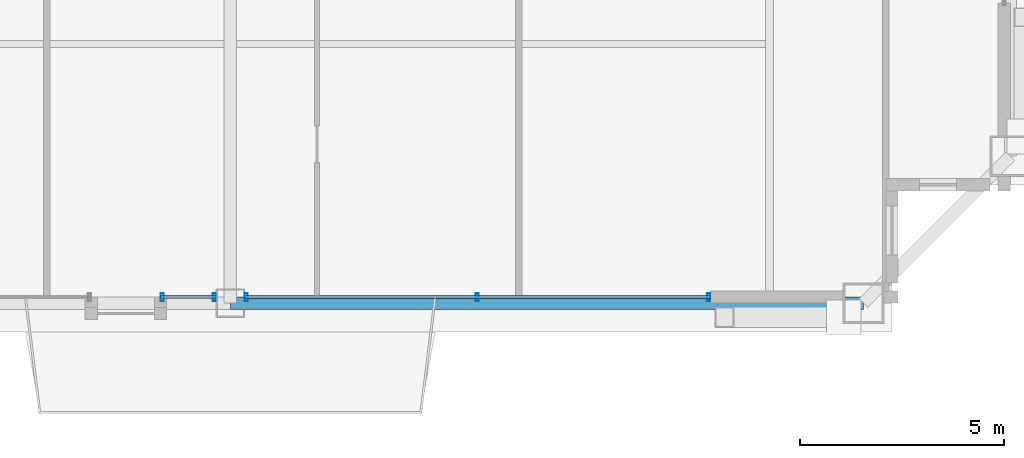
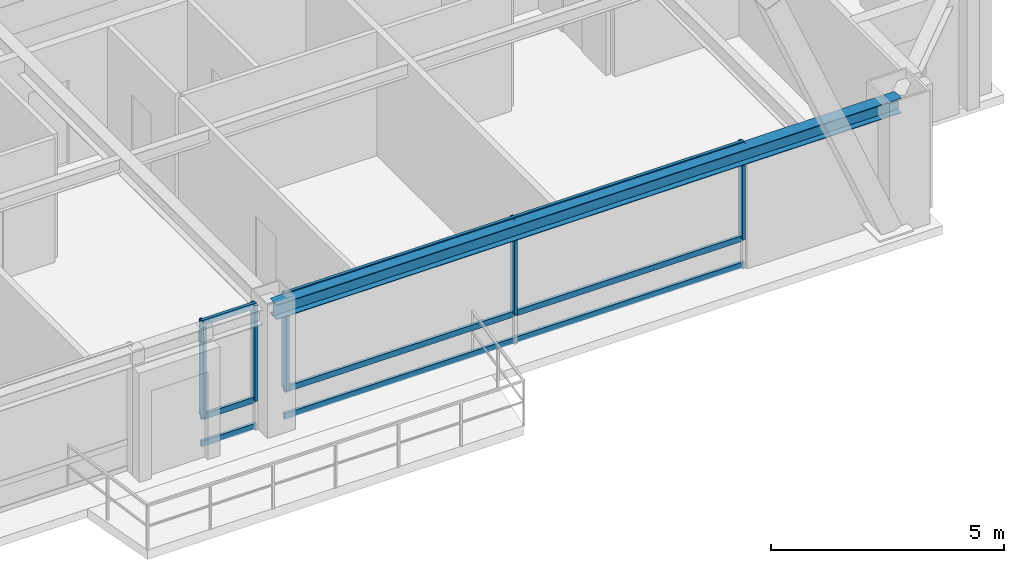
# One storey, part 9 of 35: 11 members, 1 beam, 2 elements without a shape of their own.
"""IFC4 building model written with IfcOpenShell, lengths in metres."""

from ifc_helpers import new_model, si_unit, direction, frame, origin, origin_2d, place, context, subcontext, project, spatial, hollow_rectangle, i_section, extrude, source, transform, mapped, material, layer, layer_set, material_profile, profile_set, type_object, element, aggregate, save


model = new_model("IFC4")

# Units and contexts
model_context = context("Model", 3, precision=1e-05, world=origin(), true_north=direction((0.0, 1.0)))
body_context = subcontext(model_context, "Body", "Model", "MODEL_VIEW")
ifc_project = project(units=[si_unit("LENGTHUNIT", "METRE"), si_unit("AREAUNIT", "SQUARE_METRE"), si_unit("VOLUMEUNIT", "CUBIC_METRE"), si_unit("PLANEANGLEUNIT", "RADIAN"), si_unit("MASSUNIT", "GRAM", prefix="KILO"), si_unit("THERMODYNAMICTEMPERATUREUNIT", "KELVIN"), si_unit("POWERUNIT", "WATT")], contexts=[model_context])

# Site, building, storey
site_placement = place(None, origin())
site = spatial("IfcSite", under=ifc_project, at=site_placement, CompositionType="ELEMENT")
building_placement = place(site_placement, origin())
building = spatial("IfcBuilding", under=site, at=building_placement, Name="Yuzanri Waterfront Tower", CompositionType="ELEMENT")
storey_placement = place(building_placement, frame((0.0, 0.0, 335.699951171875)))
storey = spatial("IfcBuildingStorey", under=building, at=storey_placement, Name="L90", CompositionType="ELEMENT", Elevation=335.699951171875)

# Beam
ifc_material_1 = material(Name="Steel Q355B", Category="steel")
ifc_material_profile_1 = material_profile(ifc_material_1, i_section(OverallWidth=0.300048828125, OverallDepth=0.389892578125, WebThickness=0.010009765625, FlangeThickness=0.01611328125, at=origin_2d()), Name="HM 390x300x10x16")
ifc_profile_set_1 = profile_set([ifc_material_profile_1], Name="Steel Q355B")
beam_type = type_object("IfcBeamType", Name="Perimeter Spandrel Q355B HM 390x300", PredefinedType="SPANDREL", material=ifc_profile_set_1)
shared_shape_1 = source(origin(), body_context, "Body", "SweptSolid", [
    extrude(i_section(OverallWidth=0.300048828125, OverallDepth=0.389892578125, WebThickness=0.010009765625, FlangeThickness=0.01611328125, at=origin_2d()), origin(), (0.0, 0.0, 1.0), 15.5),
])
beam_placement = place(storey_placement, frame((37.0, 6.699951171875, 3.06494140625), z_axis=(1.0, 0.0, 0.0), x_axis=(0.0, 1.0, 0.0)))
element("IfcBeam", 1, at=beam_placement, inside=storey, type_object=beam_type, Name="L90 Perimeter Spandrel S2-S3", PredefinedType="SPANDREL", context=body_context, shape_type="MappedRepresentation", body=[
    mapped(shared_shape_1, transform((0.0, 0.0, 0.0), scale=1.0)),
])

# Curtain wall, members
ifc_material_2 = material(Name="Anodized Architectural Bronze", Category="metal")
ifc_layer = layer(ifc_material_2, 0.159912109375)
ifc_layer_set = layer_set([ifc_layer], Name="Anodized Architectural Bronze")
curtain_wall_type = type_object("IfcCurtainWallType", Name="Anodized Bronze High-Rise Penthouse High-Wind Unitized Curtain Wall 6900", PredefinedType="NOTDEFINED", material=ifc_layer_set)
curtain_wall_1_placement = place(storey_placement, origin())
curtain_wall_1 = element("IfcCurtainWall", 2, at=curtain_wall_1_placement, inside=storey, type_object=curtain_wall_type, Name="L90 Curtain Wall CW-L90-SR", PredefinedType="NOTDEFINED")
ifc_material_3 = material(Name="Anodized Architectural Bronze", Category="metal")
ifc_material_profile_2 = material_profile(ifc_material_3, hollow_rectangle(XDim=0.074951171875, YDim=0.14990234375, WallThickness=0.00390625, at=origin_2d()), Name="CWT 75x150")
ifc_profile_set_2 = profile_set([ifc_material_profile_2], Name="Anodized Architectural Bronze")
member_type_1 = type_object("IfcMemberType", Name="Anodized Bronze Primary Curtain-Wall Transom 75x150", PredefinedType="USERDEFINED", material=ifc_profile_set_2)
shared_shape_2 = source(origin(), body_context, "Body", "SweptSolid", [
    extrude(hollow_rectangle(XDim=0.074951171875, YDim=0.14990234375, WallThickness=0.00390625, at=origin_2d()), origin(), (0.0, 0.0, 1.0), 11.39990234375),
])
member_1_placement = place(storey_placement, frame((37.35009765625, 6.85009765625, 0.050048828125), z_axis=(1.0, 0.0, 0.0), x_axis=(0.0, 1.0, 0.0)))
member_1 = element("IfcMember", 3, at=member_1_placement, type_object=member_type_1, Name="CW-L90-SR Transom 1", ObjectType="TRANSOM", PredefinedType="USERDEFINED", context=body_context, shape_type="MappedRepresentation", body=[
    mapped(shared_shape_2, transform((0.0, 0.0, 0.0), scale=1.0)),
])
member_2_placement = place(storey_placement, frame((37.35009765625, 6.85009765625, 0.75), z_axis=(1.0, 0.0, 0.0), x_axis=(0.0, 1.0, 0.0)))
member_2 = element("IfcMember", 4, at=member_2_placement, type_object=member_type_1, Name="CW-L90-SR Transom 2", ObjectType="TRANSOM", PredefinedType="USERDEFINED", context=body_context, shape_type="MappedRepresentation", body=[
    mapped(shared_shape_2, transform((0.0, 0.0, 0.0), scale=1.0)),
])
member_3_placement = place(storey_placement, frame((37.35009765625, 6.85009765625, 3.2099609375), z_axis=(1.0, 0.0, 0.0), x_axis=(0.0, 1.0, 0.0)))
member_3 = element("IfcMember", 5, at=member_3_placement, type_object=member_type_1, Name="CW-L90-SR Transom 3", ObjectType="TRANSOM", PredefinedType="USERDEFINED", context=body_context, shape_type="MappedRepresentation", body=[
    mapped(shared_shape_2, transform((0.0, 0.0, 0.0), scale=1.0)),
])

curtain_wall_2_placement = place(storey_placement, origin())
curtain_wall_2 = element("IfcCurtainWall", 6, at=curtain_wall_2_placement, inside=storey, type_object=curtain_wall_type, Name="L90 Curtain Wall CW-L90-SL2", PredefinedType="NOTDEFINED")
ifc_material_4 = material(Name="Anodized Architectural Bronze", Category="metal")
ifc_material_profile_3 = material_profile(ifc_material_4, hollow_rectangle(XDim=0.074951171875, YDim=0.199951171875, WallThickness=0.00390625, at=origin_2d()), Name="CWM 75x200")
ifc_profile_set_3 = profile_set([ifc_material_profile_3], Name="Anodized Architectural Bronze")
member_type_2 = type_object("IfcMemberType", Name="Anodized Bronze Primary Curtain-Wall Mullion 75x200", PredefinedType="MULLION", material=ifc_profile_set_3)
shared_shape_3 = source(origin(), body_context, "Body", "SweptSolid", [
    extrude(hollow_rectangle(XDim=0.074951171875, YDim=0.199951171875, WallThickness=0.00390625, at=origin_2d()), origin(), (0.0, 0.0, 1.0), 2.508056640625),
])
member_4_placement = place(storey_placement, frame((35.33203125, 6.85009765625, 0.751953125), z_axis=(0.0, 0.0, 1.0), x_axis=(1.0, 0.0, 0.0)))
member_4 = element("IfcMember", 7, at=member_4_placement, type_object=member_type_2, Name="CW-L90-SL2 Upper Mullion 00", PredefinedType="MULLION", context=body_context, shape_type="MappedRepresentation", body=[
    mapped(shared_shape_3, transform((0.0, 0.0, 0.0), scale=1.0)),
])
member_5_placement = place(storey_placement, frame((36.610107421875, 6.85009765625, 0.751953125), z_axis=(0.0, 0.0, 1.0), x_axis=(1.0, 0.0, 0.0)))
member_5 = element("IfcMember", 8, at=member_5_placement, type_object=member_type_2, Name="CW-L90-SL2 Upper Mullion 01", PredefinedType="MULLION", context=body_context, shape_type="MappedRepresentation", body=[
    mapped(shared_shape_3, transform((0.0, 0.0, 0.0), scale=1.0)),
])

# Member
member_6_placement = place(storey_placement, frame((37.389892578125, 6.85009765625, 0.751953125), z_axis=(0.0, 0.0, 1.0), x_axis=(1.0, 0.0, 0.0)))
member_6 = element("IfcMember", 9, at=member_6_placement, type_object=member_type_2, Name="CW-L90-SR Upper Mullion 00", PredefinedType="MULLION", context=body_context, shape_type="MappedRepresentation", body=[
    mapped(shared_shape_3, transform((0.0, 0.0, 0.0), scale=1.0)),
])

member_7_placement = place(storey_placement, frame((43.050048828125, 6.85009765625, 0.751953125), z_axis=(0.0, 0.0, 1.0), x_axis=(1.0, 0.0, 0.0)))
member_7 = element("IfcMember", 10, at=member_7_placement, type_object=member_type_2, Name="CW-L90-SR Upper Mullion 01", PredefinedType="MULLION", context=body_context, shape_type="MappedRepresentation", body=[
    mapped(shared_shape_3, transform((0.0, 0.0, 0.0), scale=1.0)),
])

member_8_placement = place(storey_placement, frame((48.7099609375, 6.85009765625, 0.751953125), z_axis=(0.0, 0.0, 1.0), x_axis=(1.0, 0.0, 0.0)))
member_8 = element("IfcMember", 11, at=member_8_placement, type_object=member_type_2, Name="CW-L90-SR Upper Mullion 02", PredefinedType="MULLION", context=body_context, shape_type="MappedRepresentation", body=[
    mapped(shared_shape_3, transform((0.0, 0.0, 0.0), scale=1.0)),
])

aggregate(curtain_wall_1, [member_6, member_7, member_8, member_1, member_2, member_3])

shared_shape_4 = source(origin(), body_context, "Body", "SweptSolid", [
    extrude(hollow_rectangle(XDim=0.074951171875, YDim=0.14990234375, WallThickness=0.00390625, at=origin_2d()), origin(), (0.0, 0.0, 1.0), 1.35791015625),
])
member_9_placement = place(storey_placement, frame((35.2919921875, 6.85009765625, 0.050048828125), z_axis=(1.0, 0.0, 0.0), x_axis=(0.0, 1.0, 0.0)))
member_9 = element("IfcMember", 12, at=member_9_placement, type_object=member_type_1, Name="CW-L90-SL2 Transom 1", ObjectType="TRANSOM", PredefinedType="USERDEFINED", context=body_context, shape_type="MappedRepresentation", body=[
    mapped(shared_shape_4, transform((0.0, 0.0, 0.0), scale=1.0)),
])

member_10_placement = place(storey_placement, frame((35.2919921875, 6.85009765625, 0.75), z_axis=(1.0, 0.0, 0.0), x_axis=(0.0, 1.0, 0.0)))
member_10 = element("IfcMember", 13, at=member_10_placement, type_object=member_type_1, Name="CW-L90-SL2 Transom 2", ObjectType="TRANSOM", PredefinedType="USERDEFINED", context=body_context, shape_type="MappedRepresentation", body=[
    mapped(shared_shape_4, transform((0.0, 0.0, 0.0), scale=1.0)),
])

member_11_placement = place(storey_placement, frame((35.2919921875, 6.85009765625, 3.2099609375), z_axis=(1.0, 0.0, 0.0), x_axis=(0.0, 1.0, 0.0)))
member_11 = element("IfcMember", 14, at=member_11_placement, type_object=member_type_1, Name="CW-L90-SL2 Transom 3", ObjectType="TRANSOM", PredefinedType="USERDEFINED", context=body_context, shape_type="MappedRepresentation", body=[
    mapped(shared_shape_4, transform((0.0, 0.0, 0.0), scale=1.0)),
])

aggregate(curtain_wall_2, [member_4, member_5, member_9, member_10, member_11])

save(model, "model.ifc")
